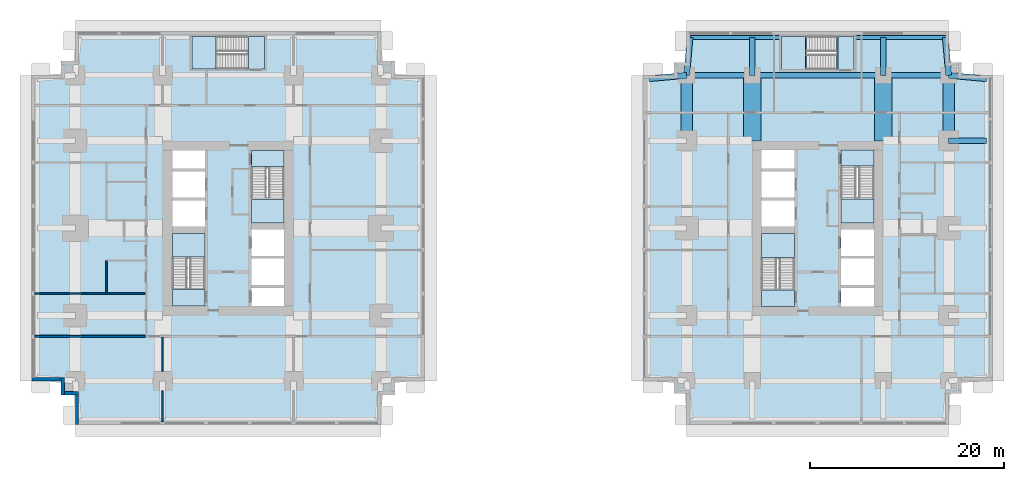
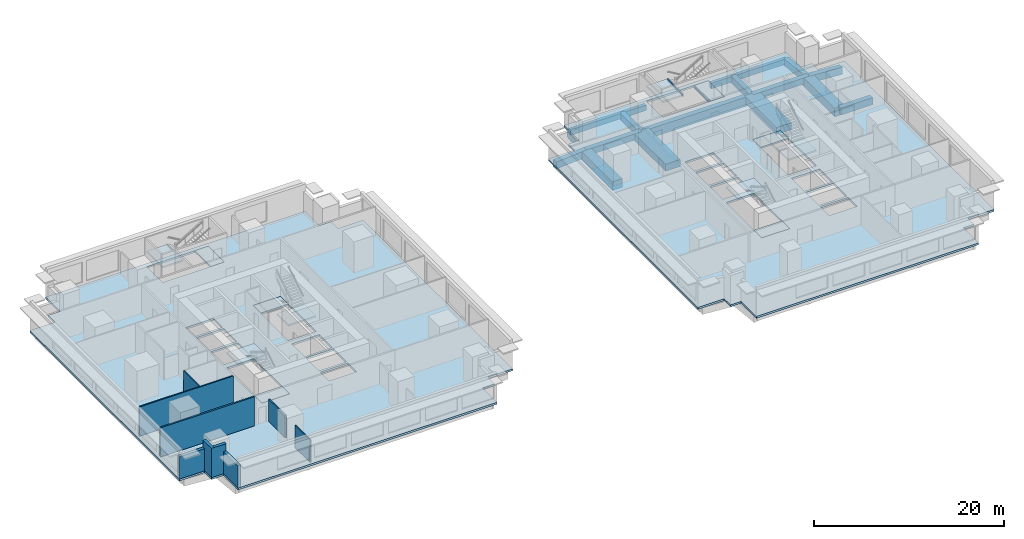
# One storey, part 2 of 11: 18 beams, 14 slabs, 9 walls, 6 elements without a shape of their own.
"""IFC4 building model written with IfcOpenShell, lengths in metres."""

from ifc_helpers import new_model, si_unit, direction, frame, frame_2d, origin, origin_2d, place, context, subcontext, project, spatial, polyline, rectangle, i_section, outline, extrude, material, layer, layer_set, material_profile, profile_set, type_object, element, aggregate, save


model = new_model("IFC4")

# Units and contexts
model_context = context("Model", 3, precision=1e-05, world=origin(), true_north=direction((0.0, 1.0)))
body_context = subcontext(model_context, "Body", "Model", "MODEL_VIEW")
ifc_project = project(units=[si_unit("LENGTHUNIT", "METRE"), si_unit("AREAUNIT", "SQUARE_METRE"), si_unit("VOLUMEUNIT", "CUBIC_METRE"), si_unit("PLANEANGLEUNIT", "RADIAN"), si_unit("MASSUNIT", "GRAM", prefix="KILO")], contexts=[model_context])

# Site, building, storey
site_placement = place(None, origin())
site = spatial("IfcSite", under=ifc_project, at=site_placement, CompositionType="ELEMENT")
building_placement = place(site_placement, origin())
building = spatial("IfcBuilding", under=site, at=building_placement, Name="Namib Vertical Campus", CompositionType="ELEMENT")
storey_placement = place(building_placement, frame((0.0, 0.0, 53.0)))
storey = spatial("IfcBuildingStorey", under=building, at=storey_placement, Name="L12", CompositionType="ELEMENT", Elevation=53.0)

# Beams
ifc_material_1 = material(Name="Concrete C40/50", Category="concrete")
ifc_material_profile_1 = material_profile(ifc_material_1, rectangle(XDim=0.60009765625, YDim=0.89990234375, at=origin_2d()))
ifc_profile_set_1 = profile_set([ifc_material_profile_1], Name="Concrete C40/50")
beam_type_1 = type_object("IfcBeamType", Name="Cantilever girder RC 600x900", PredefinedType="BEAM", material=ifc_profile_set_1)
beam_1_placement = place(storey_placement, frame((67.5, 36.0, -0.699951171875), z_axis=(0.089411326146, 0.995994786511, 0.0), x_axis=(-0.995994786511, 0.089411326146, 0.0)))
element("IfcBeam", 1, at=beam_1_placement, inside=storey, type_object=beam_type_1, Name="Beam B3 L12", PredefinedType="BEAM", context=body_context, shape_type="SweptSolid", body=[
    extrude(rectangle(XDim=0.60009765625, YDim=0.89990234375, at=origin_2d()), origin(), (0.0, 0.0, 1.0), 3.91552734375),
])
for number, where, z_axis, x_axis, name in (
    (2, (74.25, 36.0, -0.699951171875), (0.0, 1.0, 0.0), (-1.0, 0.0, 0.0), "Beam B3 L12"),
    (3, (87.75, 36.0, -0.699951171875), (0.0, 1.0, 0.0), (-1.0, 0.0, 0.0), "Beam B3 L12"),
):
    element("IfcBeam", number, at=place(storey_placement, frame(where, z_axis=z_axis, x_axis=x_axis)), inside=storey, type_object=beam_type_1, Name=name, PredefinedType="BEAM", context=body_context, shape_type="SweptSolid", body=[
        extrude(rectangle(XDim=0.60009765625, YDim=0.89990234375, at=origin_2d()), origin(), (0.0, 0.0, 1.0), 3.89990234375),
    ])
for number, where, z_axis, x_axis, name in (
    (4, (94.5, 36.0, -0.699951171875), (-0.089411326146, 0.995994786511, 0.0), (-0.995994786511, -0.089411326146, 0.0), "Beam B3 L12"),
    (5, (67.5, 36.0, -0.699951171875), (-0.995994786511, -0.089411326146, 0.0), (0.089411326146, -0.995994786511, 0.0), "Beam B3 L12"),
):
    element("IfcBeam", number, at=place(storey_placement, frame(where, z_axis=z_axis, x_axis=x_axis)), inside=storey, type_object=beam_type_1, Name=name, PredefinedType="BEAM", context=body_context, shape_type="SweptSolid", body=[
        extrude(rectangle(XDim=0.60009765625, YDim=0.89990234375, at=origin_2d()), origin(), (0.0, 0.0, 1.0), 3.91552734375),
    ])
beam_2_placement = place(storey_placement, frame((94.5, 29.25, -0.699951171875), z_axis=(1.0, 0.0, 0.0), x_axis=(0.0, 1.0, 0.0)))
element("IfcBeam", 6, at=beam_2_placement, inside=storey, type_object=beam_type_1, Name="Beam B3 L12", PredefinedType="BEAM", context=body_context, shape_type="SweptSolid", body=[
    extrude(rectangle(XDim=0.60009765625, YDim=0.89990234375, at=origin_2d()), origin(), (0.0, 0.0, 1.0), 3.89990234375),
])
beam_3_placement = place(storey_placement, frame((94.5, 36.0, -0.699951171875), z_axis=(0.995994786511, -0.089411326146, 0.0), x_axis=(0.089411326146, 0.995994786511, 0.0)))
element("IfcBeam", 7, at=beam_3_placement, inside=storey, type_object=beam_type_1, Name="Beam B3 L12", PredefinedType="BEAM", context=body_context, shape_type="SweptSolid", body=[
    extrude(rectangle(XDim=0.60009765625, YDim=0.89990234375, at=origin_2d()), origin(), (0.0, 0.0, 1.0), 3.91552734375),
])
ifc_material_2 = material(Name="Concrete C40/50", Category="concrete")
ifc_material_profile_2 = material_profile(ifc_material_2, rectangle(XDim=0.39990234375, YDim=0.699951171875, at=origin_2d()))
ifc_profile_set_2 = profile_set([ifc_material_profile_2], Name="Concrete C40/50")
beam_type_2 = type_object("IfcBeamType", Name="Edge beam RC 400x700", PredefinedType="SPANDREL", material=ifc_profile_set_2)
for number, where, z_axis, x_axis, name in (
    (8, (67.85009765625, 39.89990234375, -0.60009765625), (1.0, 0.0, 0.0), (0.0, 1.0, 0.0), "Beam B4 L12"),
    (9, (84.949951171875, 39.89990234375, -0.60009765625), (1.0, 0.0, 0.0), (0.0, 1.0, 0.0), "Beam B4 L12"),
):
    element("IfcBeam", number, at=place(storey_placement, frame(where, z_axis=z_axis, x_axis=x_axis)), inside=storey, type_object=beam_type_2, Name=name, PredefinedType="SPANDREL", context=body_context, shape_type="SweptSolid", body=[
        extrude(rectangle(XDim=0.39990234375, YDim=0.699951171875, at=origin_2d()), origin(), (0.0, 0.0, 1.0), 9.199951171875),
    ])
ifc_material_3 = material(Name="Concrete C40/50", Category="concrete")
ifc_material_profile_3 = material_profile(ifc_material_3, rectangle(XDim=1.199951171875, YDim=1.10009765625, at=origin_2d()))
ifc_profile_set_3 = profile_set([ifc_material_profile_3], Name="Concrete C40/50")
beam_type_3 = type_object("IfcBeamType", Name="Face ring beam RC 1200x1100", PredefinedType="BEAM", material=ifc_profile_set_3)
for number, where, z_axis, x_axis, name in (
    (10, (67.5, 29.25, -0.800048828125), (0.0, 1.0, 0.0), (-1.0, 0.0, 0.0), "Beam B11 L12"),
    (11, (94.5, 29.25, -0.800048828125), (0.0, 1.0, 0.0), (-1.0, 0.0, 0.0), "Beam B11 L12"),
):
    element("IfcBeam", number, at=place(storey_placement, frame(where, z_axis=z_axis, x_axis=x_axis)), inside=storey, type_object=beam_type_3, Name=name, PredefinedType="BEAM", context=body_context, shape_type="SweptSolid", body=[
        extrude(rectangle(XDim=1.199951171875, YDim=1.10009765625, at=origin_2d()), origin(), (0.0, 0.0, 1.0), 6.75),
    ])
ifc_material_4 = material(Name="Steel S355JR", Category="steel")
ifc_material_profile_4 = material_profile(ifc_material_4, i_section(OverallWidth=0.14599609375, OverallDepth=0.25146484375, WebThickness=0.006103515625, FlangeThickness=0.008544921875, FilletRadius=0.007568359375, at=origin_2d()))
ifc_profile_set_4 = profile_set([ifc_material_profile_4], Name="Steel S355JR")
beam_type_4 = type_object("IfcBeamType", Name="Landing trimmer UB 254x146x31", PredefinedType="BEAM", material=ifc_profile_set_4)
for number, where, z_axis, x_axis, name in (
    (12, (83.02294921875, 36.60009765625, -0.125732421875), (0.0, 1.0, 0.0), (-1.0, 0.0, 0.0), "Landing trimmer LT1 B-S3 L12 1"),
    (13, (79.796875, 36.60009765625, 1.874267578125), (0.0, 1.0, 0.0), (-1.0, 0.0, 0.0), "Landing trimmer LT1 B-S3 L12 2"),
):
    element("IfcBeam", number, at=place(storey_placement, frame(where, z_axis=z_axis, x_axis=x_axis)), inside=storey, type_object=beam_type_4, Name=name, PredefinedType="BEAM", context=body_context, shape_type="SweptSolid", body=[
        extrude(i_section(OverallWidth=0.14599609375, OverallDepth=0.25146484375, WebThickness=0.006103515625, FlangeThickness=0.008544921875, FilletRadius=0.007568359375, at=origin_2d()), origin(), (0.0, 0.0, 1.0), 3.39990234375),
    ])
ifc_material_5 = material(Name="Concrete C40/50", Category="concrete")
ifc_material_profile_5 = material_profile(ifc_material_5, rectangle(XDim=0.60009765625, YDim=1.199951171875, at=origin_2d()))
ifc_profile_set_5 = profile_set([ifc_material_profile_5], Name="Concrete C40/50")
beam_type_5 = type_object("IfcBeamType", Name="Long-span ring beam RC 600x1200", PredefinedType="BEAM", material=ifc_profile_set_5)
beam_4_placement = place(storey_placement, frame((74.25, 36.0, -0.85009765625), z_axis=(1.0, 0.0, 0.0), x_axis=(0.0, 1.0, 0.0)))
element("IfcBeam", 14, at=beam_4_placement, inside=storey, type_object=beam_type_5, Name="Beam B9 L12", PredefinedType="BEAM", context=body_context, shape_type="SweptSolid", body=[
    extrude(rectangle(XDim=0.60009765625, YDim=1.199951171875, at=origin_2d()), origin(), (0.0, 0.0, 1.0), 13.5),
])
ifc_material_6 = material(Name="Concrete C40/50", Category="concrete")
ifc_material_profile_6 = material_profile(ifc_material_6, rectangle(XDim=1.800048828125, YDim=0.89990234375, at=origin_2d()))
ifc_profile_set_6 = profile_set([ifc_material_profile_6], Name="Concrete C40/50")
beam_type_6 = type_object("IfcBeamType", Name="Outrigger line girder RC 1800x900", PredefinedType="BEAM", material=ifc_profile_set_6)
for number, where, z_axis, x_axis, name in (
    (15, (74.25, 36.0, -0.699951171875), (0.0, -1.0, 0.0), (1.0, 0.0, 0.0), "Beam B12 L12"),
    (16, (87.75, 36.0, -0.699951171875), (0.0, -1.0, 0.0), (1.0, 0.0, 0.0), "Beam B12 L12"),
):
    element("IfcBeam", number, at=place(storey_placement, frame(where, z_axis=z_axis, x_axis=x_axis)), inside=storey, type_object=beam_type_6, Name=name, PredefinedType="BEAM", context=body_context, shape_type="SweptSolid", body=[
        extrude(rectangle(XDim=1.800048828125, YDim=0.89990234375, at=origin_2d()), origin(), (0.0, 0.0, 1.0), 6.75),
    ])
ifc_material_7 = material(Name="Concrete C40/50", Category="concrete")
ifc_material_profile_7 = material_profile(ifc_material_7, rectangle(XDim=0.60009765625, YDim=0.800048828125, at=origin_2d()))
ifc_profile_set_7 = profile_set([ifc_material_profile_7], Name="Concrete C40/50")
beam_type_7 = type_object("IfcBeamType", Name="Ring beam RC 600x800", PredefinedType="BEAM", material=ifc_profile_set_7)
for number, where, z_axis, x_axis, name in (
    (17, (67.5, 36.0, -0.64990234375), (1.0, 0.0, 0.0), (0.0, 1.0, 0.0), "Beam B1 L12"),
    (18, (87.75, 36.0, -0.64990234375), (1.0, 0.0, 0.0), (0.0, 1.0, 0.0), "Beam B1 L12"),
):
    element("IfcBeam", number, at=place(storey_placement, frame(where, z_axis=z_axis, x_axis=x_axis)), inside=storey, type_object=beam_type_7, Name=name, PredefinedType="BEAM", context=body_context, shape_type="SweptSolid", body=[
        extrude(rectangle(XDim=0.60009765625, YDim=0.800048828125, at=origin_2d()), origin(), (0.0, 0.0, 1.0), 6.75),
    ])

# Slabs
ifc_material_8 = material(Name="Concrete C40/50", Category="concrete")
ifc_layer_1 = layer(ifc_material_8, 0.25)
ifc_layer_set_1 = layer_set([ifc_layer_1], Name="Concrete C40/50")
slab_type_1 = type_object("IfcSlabType", Name="Floor slab 250", PredefinedType="FLOOR", material=ifc_layer_set_1)
slab_1_placement = place(storey_placement, frame((0.0, 0.0, -0.25)))
element("IfcSlab", 19, at=slab_1_placement, inside=storey, type_object=slab_type_1, Name="Floor slab A L12", PredefinedType="FLOOR", context=body_context, shape_type="SweptSolid", body=[
    extrude(outline(polyline([(4.5, 0.0), (36.0, 0.0), (36.0, 3.050048828125), (37.449951171875, 3.050048828125), (37.449951171875, 4.5), (40.5, 4.5), (40.5, 36.0), (37.449951171875, 36.0), (37.449951171875, 37.449951171875), (36.0, 37.449951171875), (36.0, 40.5), (4.5, 40.5), (4.5, 37.449951171875), (3.050048828125, 37.449951171875), (3.050048828125, 36.0), (0.0, 36.0), (0.0, 4.5), (3.050048828125, 4.5), (3.050048828125, 3.050048828125), (4.5, 3.050048828125), (4.5, 0.0)]), holes=[polyline([(14.5, 12.25), (17.85009765625, 12.25), (17.85009765625, 19.699951171875), (14.5, 19.699951171875), (14.5, 12.25)]), polyline([(22.64990234375, 20.800048828125), (26.0, 20.800048828125), (26.0, 28.25), (22.64990234375, 28.25), (22.64990234375, 20.800048828125)]), polyline([(22.64990234375, 12.25), (26.0, 12.25), (26.0, 14.10009765625), (22.64990234375, 14.10009765625), (22.64990234375, 12.25)]), polyline([(14.5, 20.39990234375), (17.85009765625, 20.39990234375), (17.85009765625, 23.10009765625), (14.5, 23.10009765625), (14.5, 20.39990234375)]), polyline([(14.5, 23.39990234375), (17.85009765625, 23.39990234375), (17.85009765625, 26.10009765625), (14.5, 26.10009765625), (14.5, 23.39990234375)]), polyline([(14.5, 26.39990234375), (17.85009765625, 26.39990234375), (17.85009765625, 28.25), (14.5, 28.25), (14.5, 26.39990234375)]), polyline([(22.64990234375, 14.39990234375), (26.0, 14.39990234375), (26.0, 17.10009765625), (22.64990234375, 17.10009765625), (22.64990234375, 14.39990234375)]), polyline([(22.64990234375, 17.39990234375), (26.0, 17.39990234375), (26.0, 20.10009765625), (22.64990234375, 20.10009765625), (22.64990234375, 17.39990234375)]), polyline([(16.5, 36.64990234375), (24.0, 36.64990234375), (24.0, 40.0), (16.5, 40.0), (16.5, 36.64990234375)])]), origin(), (0.0, 0.0, 1.0), 0.25),
])
slab_2_placement = place(storey_placement, frame((0.0, 0.0, -0.25)))
element("IfcSlab", 20, at=slab_2_placement, inside=storey, type_object=slab_type_1, Name="Floor slab B L12", PredefinedType="FLOOR", context=body_context, shape_type="SweptSolid", body=[
    extrude(outline(polyline([(67.5, 0.0), (94.5, 0.0), (94.5, 3.199951171875), (95.800048828125, 3.199951171875), (95.800048828125, 4.5), (99.0, 4.5), (99.0, 36.0), (95.800048828125, 36.0), (95.800048828125, 37.300048828125), (94.5, 37.300048828125), (94.5, 40.5), (67.5, 40.5), (67.5, 37.300048828125), (66.199951171875, 37.300048828125), (66.199951171875, 36.0), (63.0, 36.0), (63.0, 4.5), (66.199951171875, 4.5), (66.199951171875, 3.199951171875), (67.5, 3.199951171875), (67.5, 0.0)]), holes=[polyline([(75.199951171875, 12.199951171875), (78.60009765625, 12.199951171875), (78.60009765625, 19.699951171875), (75.199951171875, 19.699951171875), (75.199951171875, 12.199951171875)]), polyline([(83.39990234375, 20.800048828125), (86.800048828125, 20.800048828125), (86.800048828125, 28.300048828125), (83.39990234375, 28.300048828125), (83.39990234375, 20.800048828125)]), polyline([(83.39990234375, 12.199951171875), (86.800048828125, 12.199951171875), (86.800048828125, 14.10009765625), (83.39990234375, 14.10009765625), (83.39990234375, 12.199951171875)]), polyline([(75.199951171875, 20.39990234375), (78.60009765625, 20.39990234375), (78.60009765625, 23.10009765625), (75.199951171875, 23.10009765625), (75.199951171875, 20.39990234375)]), polyline([(75.199951171875, 23.39990234375), (78.60009765625, 23.39990234375), (78.60009765625, 26.10009765625), (75.199951171875, 26.10009765625), (75.199951171875, 23.39990234375)]), polyline([(75.199951171875, 26.39990234375), (78.60009765625, 26.39990234375), (78.60009765625, 28.300048828125), (75.199951171875, 28.300048828125), (75.199951171875, 26.39990234375)]), polyline([(83.39990234375, 14.39990234375), (86.800048828125, 14.39990234375), (86.800048828125, 17.10009765625), (83.39990234375, 17.10009765625), (83.39990234375, 14.39990234375)]), polyline([(83.39990234375, 17.39990234375), (86.800048828125, 17.39990234375), (86.800048828125, 20.10009765625), (83.39990234375, 20.10009765625), (83.39990234375, 17.39990234375)]), polyline([(77.25, 36.60009765625), (84.75, 36.60009765625), (84.75, 40.0), (77.25, 40.0), (77.25, 36.60009765625)])]), origin(), (0.0, 0.0, 1.0), 0.25),
])

# Stair, slabs
ifc_material_9 = material(Name="Concrete C40/50 precast", Category="concrete")
stair_type_1 = type_object("IfcStairType", Name="Exit stair 4000 rise 24 risers 3350 wide", PredefinedType="HALF_TURN_STAIR", material=ifc_material_9)
stair_1_placement = place(storey_placement, origin())
stair_1 = element("IfcStair", 21, at=stair_1_placement, inside=storey, type_object=stair_type_1, Name="Exit stair A-S1 L12", PredefinedType="HALF_TURN_STAIR")
ifc_material_10 = material(Name="Concrete C40/50", Category="concrete")
ifc_layer_2 = layer(ifc_material_10, 0.199951171875)
ifc_layer_set_2 = layer_set([ifc_layer_2], Name="Concrete C40/50")
slab_type_2 = type_object("IfcSlabType", Name="Stair landing 200", PredefinedType="LANDING", material=ifc_layer_set_2)
slab_3_placement = place(storey_placement, frame((0.0, 0.0, -0.199951171875)))
slab_3 = element("IfcSlab", 22, at=slab_3_placement, type_object=slab_type_2, Name="A-S1 landing 1", PredefinedType="LANDING", context=body_context, shape_type="SweptSolid", body=[
    extrude(outline(polyline([(14.5, 12.25), (17.85009765625, 12.25), (17.85009765625, 13.90380859375), (14.5, 13.90380859375), (14.5, 12.25)])), origin(), (0.0, 0.0, 1.0), 0.199951171875),
])
slab_4_placement = place(storey_placement, frame((0.0, 0.0, 1.800048828125)))
slab_4 = element("IfcSlab", 23, at=slab_4_placement, type_object=slab_type_2, Name="A-S1 landing 2", PredefinedType="LANDING", context=body_context, shape_type="SweptSolid", body=[
    extrude(outline(polyline([(14.5, 17.276123046875), (17.85009765625, 17.276123046875), (17.85009765625, 19.699951171875), (14.5, 19.699951171875), (14.5, 17.276123046875)])), origin(), (0.0, 0.0, 1.0), 0.199951171875),
])
aggregate(stair_1, [slab_3, slab_4])

stair_2_placement = place(storey_placement, origin())
stair_2 = element("IfcStair", 24, at=stair_2_placement, inside=storey, type_object=stair_type_1, Name="Exit stair A-S2 L12", PredefinedType="HALF_TURN_STAIR")
slab_5_placement = place(storey_placement, frame((0.0, 0.0, -0.199951171875)))
slab_5 = element("IfcSlab", 25, at=slab_5_placement, type_object=slab_type_2, Name="A-S2 landing 1", PredefinedType="LANDING", context=body_context, shape_type="SweptSolid", body=[
    extrude(outline(polyline([(22.64990234375, 26.59619140625), (26.0, 26.59619140625), (26.0, 28.25), (22.64990234375, 28.25), (22.64990234375, 26.59619140625)])), origin(), (0.0, 0.0, 1.0), 0.199951171875),
])
slab_6_placement = place(storey_placement, frame((0.0, 0.0, 1.800048828125)))
slab_6 = element("IfcSlab", 26, at=slab_6_placement, type_object=slab_type_2, Name="A-S2 landing 2", PredefinedType="LANDING", context=body_context, shape_type="SweptSolid", body=[
    extrude(outline(polyline([(22.64990234375, 20.800048828125), (26.0, 20.800048828125), (26.0, 23.223876953125), (22.64990234375, 23.223876953125), (22.64990234375, 20.800048828125)])), origin(), (0.0, 0.0, 1.0), 0.199951171875),
])
aggregate(stair_2, [slab_5, slab_6])

ifc_material_11 = material(Name="Concrete C40/50 precast", Category="concrete")
stair_type_2 = type_object("IfcStairType", Name="Exit stair 4000 rise 24 risers 3400 wide", PredefinedType="HALF_TURN_STAIR", material=ifc_material_11)
stair_3_placement = place(storey_placement, origin())
stair_3 = element("IfcStair", 27, at=stair_3_placement, inside=storey, type_object=stair_type_2, Name="Exit stair B-S1 L12", PredefinedType="HALF_TURN_STAIR")
slab_7_placement = place(storey_placement, frame((0.0, 0.0, -0.199951171875)))
slab_7 = element("IfcSlab", 28, at=slab_7_placement, type_object=slab_type_2, Name="B-S1 landing 1", PredefinedType="LANDING", context=body_context, shape_type="SweptSolid", body=[
    extrude(outline(polyline([(75.199951171875, 12.199951171875), (78.60009765625, 12.199951171875), (78.60009765625, 13.85400390625), (75.199951171875, 13.85400390625), (75.199951171875, 12.199951171875)])), origin(), (0.0, 0.0, 1.0), 0.199951171875),
])
slab_8_placement = place(storey_placement, frame((0.0, 0.0, 1.800048828125)))
slab_8 = element("IfcSlab", 29, at=slab_8_placement, type_object=slab_type_2, Name="B-S1 landing 2", PredefinedType="LANDING", context=body_context, shape_type="SweptSolid", body=[
    extrude(outline(polyline([(75.199951171875, 17.22607421875), (78.60009765625, 17.22607421875), (78.60009765625, 19.699951171875), (75.199951171875, 19.699951171875), (75.199951171875, 17.22607421875)])), origin(), (0.0, 0.0, 1.0), 0.199951171875),
])
aggregate(stair_3, [slab_7, slab_8])

stair_4_placement = place(storey_placement, origin())
stair_4 = element("IfcStair", 30, at=stair_4_placement, inside=storey, type_object=stair_type_2, Name="Exit stair B-S2 L12", PredefinedType="HALF_TURN_STAIR")
slab_9_placement = place(storey_placement, frame((0.0, 0.0, -0.199951171875)))
slab_9 = element("IfcSlab", 31, at=slab_9_placement, type_object=slab_type_2, Name="B-S2 landing 1", PredefinedType="LANDING", context=body_context, shape_type="SweptSolid", body=[
    extrude(outline(polyline([(83.39990234375, 26.64599609375), (86.800048828125, 26.64599609375), (86.800048828125, 28.300048828125), (83.39990234375, 28.300048828125), (83.39990234375, 26.64599609375)])), origin(), (0.0, 0.0, 1.0), 0.199951171875),
])
slab_10_placement = place(storey_placement, frame((0.0, 0.0, 1.800048828125)))
slab_10 = element("IfcSlab", 32, at=slab_10_placement, type_object=slab_type_2, Name="B-S2 landing 2", PredefinedType="LANDING", context=body_context, shape_type="SweptSolid", body=[
    extrude(outline(polyline([(83.39990234375, 20.800048828125), (86.800048828125, 20.800048828125), (86.800048828125, 23.27392578125), (83.39990234375, 23.27392578125), (83.39990234375, 20.800048828125)])), origin(), (0.0, 0.0, 1.0), 0.199951171875),
])
aggregate(stair_4, [slab_9, slab_10])

stair_5_placement = place(storey_placement, origin())
stair_5 = element("IfcStair", 33, at=stair_5_placement, inside=storey, type_object=stair_type_1, Name="Exit stair A-S3 L12", PredefinedType="HALF_TURN_STAIR")
slab_11_placement = place(storey_placement, frame((0.0, 0.0, -0.199951171875)))
slab_11 = element("IfcSlab", 34, at=slab_11_placement, type_object=slab_type_2, Name="A-S3 landing 1", PredefinedType="LANDING", context=body_context, shape_type="SweptSolid", body=[
    extrude(outline(polyline([(22.34619140625, 36.64990234375), (22.34619140625, 40.0), (24.0, 40.0), (24.0, 36.64990234375), (22.34619140625, 36.64990234375)])), origin(), (0.0, 0.0, 1.0), 0.199951171875),
])
slab_12_placement = place(storey_placement, frame((0.0, 0.0, 1.800048828125)))
slab_12 = element("IfcSlab", 35, at=slab_12_placement, type_object=slab_type_2, Name="A-S3 landing 2", PredefinedType="LANDING", context=body_context, shape_type="SweptSolid", body=[
    extrude(outline(polyline([(16.5, 36.64990234375), (16.5, 40.0), (18.973876953125, 40.0), (18.973876953125, 36.64990234375), (16.5, 36.64990234375)])), origin(), (0.0, 0.0, 1.0), 0.199951171875),
])
aggregate(stair_5, [slab_11, slab_12])

stair_6_placement = place(storey_placement, origin())
stair_6 = element("IfcStair", 36, at=stair_6_placement, inside=storey, type_object=stair_type_2, Name="Exit stair B-S3 L12", PredefinedType="HALF_TURN_STAIR")
slab_13_placement = place(storey_placement, frame((0.0, 0.0, -0.199951171875)))
slab_13 = element("IfcSlab", 37, at=slab_13_placement, type_object=slab_type_2, Name="B-S3 landing 1", PredefinedType="LANDING", context=body_context, shape_type="SweptSolid", body=[
    extrude(outline(polyline([(83.09619140625, 36.60009765625), (83.09619140625, 40.0), (84.75, 40.0), (84.75, 36.60009765625), (83.09619140625, 36.60009765625)])), origin(), (0.0, 0.0, 1.0), 0.199951171875),
])
slab_14_placement = place(storey_placement, frame((0.0, 0.0, 1.800048828125)))
slab_14 = element("IfcSlab", 38, at=slab_14_placement, type_object=slab_type_2, Name="B-S3 landing 2", PredefinedType="LANDING", context=body_context, shape_type="SweptSolid", body=[
    extrude(outline(polyline([(77.25, 36.60009765625), (77.25, 40.0), (79.723876953125, 40.0), (79.723876953125, 36.60009765625), (77.25, 36.60009765625)])), origin(), (0.0, 0.0, 1.0), 0.199951171875),
])
aggregate(stair_6, [slab_13, slab_14])

# Walls
ifc_material_12 = material(Name="Concrete masonry", Category="masonry")
ifc_layer_3 = layer(ifc_material_12, 0.199951171875)
ifc_layer_set_3 = layer_set([ifc_layer_3], Name="Corridor wall 200")
wall_type_1 = type_object("IfcWallType", Name="Corridor wall 200", PredefinedType="SOLIDWALL", material=ifc_layer_set_3)
wall_1_placement = place(storey_placement, frame((0.300048828125, 9.10009765625, 0.0), z_axis=(0.0, 0.0, 1.0), x_axis=(1.0, 0.0, 0.0)))
element("IfcWall", 39, at=wall_1_placement, inside=storey, type_object=wall_type_1, Name="Partition A L12 BSW", PredefinedType="SOLIDWALL", context=body_context, shape_type="SweptSolid", body=[
    extrude(rectangle(XDim=11.39990234375, YDim=0.199951171875, at=frame_2d((5.699951171875, 0.0))), origin(), (0.0, 0.0, 1.0), 3.75),
])
ifc_material_13 = material(Name="Concrete C40/50", Category="concrete")
ifc_layer_4 = layer(ifc_material_13, 0.35009765625)
ifc_layer_set_4 = layer_set([ifc_layer_4], Name="Concrete C40/50")
wall_type_2 = type_object("IfcWallType", Name="External wall 350 bush-hammered concrete", PredefinedType="STANDARD", material=ifc_layer_set_4)
wall_2_placement = place(storey_placement, frame((0.02001953125, 4.675048828125, 0.0), z_axis=(0.0, 0.0, 1.0), x_axis=(1.0, 0.0, 0.0)))
element("IfcWall", 40, at=wall_2_placement, inside=storey, type_object=wall_type_2, Name="External wall L12 F17", PredefinedType="STANDARD", context=body_context, shape_type="SweptSolid", body=[
    extrude(rectangle(XDim=3.35986328125, YDim=0.35009765625, at=frame_2d((1.679931640625, 0.0))), origin(), (0.0, 0.0, 1.0), 2.85009765625),
])
for number, where, z_axis, x_axis, name in (
    (41, (3.22509765625, 4.830078125, 0.0), (0.0, 0.0, 1.0), (0.0, -1.0, 0.0), "External wall L12 F18"),
    (42, (3.070068359375, 3.22509765625, 0.0), (0.0, 0.0, 1.0), (1.0, 0.0, 0.0), "External wall L12 F19"),
):
    element("IfcWall", number, at=place(storey_placement, frame(where, z_axis=z_axis, x_axis=x_axis)), inside=storey, type_object=wall_type_2, Name=name, PredefinedType="STANDARD", context=body_context, shape_type="SweptSolid", body=[
        extrude(rectangle(XDim=1.760009765625, YDim=0.35009765625, at=frame_2d((0.8798828125, 0.0))), origin(), (0.0, 0.0, 1.0), 3.75),
    ])
wall_3_placement = place(storey_placement, frame((4.675048828125, 3.3798828125, 0.0), z_axis=(0.0, 0.0, 1.0), x_axis=(0.0, -1.0, 0.0)))
element("IfcWall", 43, at=wall_3_placement, inside=storey, type_object=wall_type_2, Name="External wall L12 F20", PredefinedType="STANDARD", context=body_context, shape_type="SweptSolid", body=[
    extrude(rectangle(XDim=3.35986328125, YDim=0.35009765625, at=frame_2d((1.679931640625, 0.0))), origin(), (0.0, 0.0, 1.0), 2.85009765625),
])
ifc_material_14 = material(Name="Gypsum board on steel studs", Category="steel")
ifc_layer_5 = layer(ifc_material_14, 0.14990234375)
ifc_layer_set_5 = layer_set([ifc_layer_5], Name="Gypsum board on steel studs")
wall_type_3 = type_object("IfcWallType", Name="Partition 150", PredefinedType="PARTITIONING", material=ifc_layer_set_5)
wall_4_placement = place(storey_placement, frame((13.5, 0.300048828125, 0.0), z_axis=(0.0, 0.0, 1.0), x_axis=(0.0, 1.0, 0.0)))
element("IfcWall", 44, at=wall_4_placement, inside=storey, type_object=wall_type_3, Name="Partition A L12 PS1", PredefinedType="PARTITIONING", context=body_context, shape_type="SweptSolid", body=[
    extrude(rectangle(XDim=3.179931640625, YDim=0.14990234375, at=frame_2d((1.58984375, 0.0))), origin(), (0.0, 0.0, 1.0), 2.85009765625),
])
wall_5_placement = place(storey_placement, frame((13.5, 5.52001953125, 0.0), z_axis=(0.0, 0.0, 1.0), x_axis=(0.0, 1.0, 0.0)))
element("IfcWall", 45, at=wall_5_placement, inside=storey, type_object=wall_type_3, Name="Partition A L12 PS1", PredefinedType="PARTITIONING", context=body_context, shape_type="SweptSolid", body=[
    extrude(rectangle(XDim=3.47998046875, YDim=0.14990234375, at=frame_2d((1.739990234375, 0.0))), origin(), (0.0, 0.0, 1.0), 2.85009765625),
])
wall_6_placement = place(storey_placement, frame((0.300048828125, 13.5, 0.0), z_axis=(0.0, 0.0, 1.0), x_axis=(1.0, 0.0, 0.0)))
element("IfcWall", 46, at=wall_6_placement, inside=storey, type_object=wall_type_3, Name="Partition A L12 PW1", PredefinedType="PARTITIONING", context=body_context, shape_type="SweptSolid", body=[
    extrude(rectangle(XDim=11.39990234375, YDim=0.14990234375, at=frame_2d((5.699951171875, 0.0))), origin(), (0.0, 0.0, 1.0), 3.75),
])
wall_7_placement = place(storey_placement, frame((7.699951171875, 13.5, 0.0), z_axis=(0.0, 0.0, 1.0), x_axis=(0.0, 1.0, 0.0)))
element("IfcWall", 47, at=wall_7_placement, inside=storey, type_object=wall_type_3, Name="Partition A L12 WB1", PredefinedType="PARTITIONING", context=body_context, shape_type="SweptSolid", body=[
    extrude(rectangle(XDim=3.39990234375, YDim=0.14990234375, at=frame_2d((1.699951171875, 0.0))), origin(), (0.0, 0.0, 1.0), 3.75),
])

save(model, "model.ifc")
